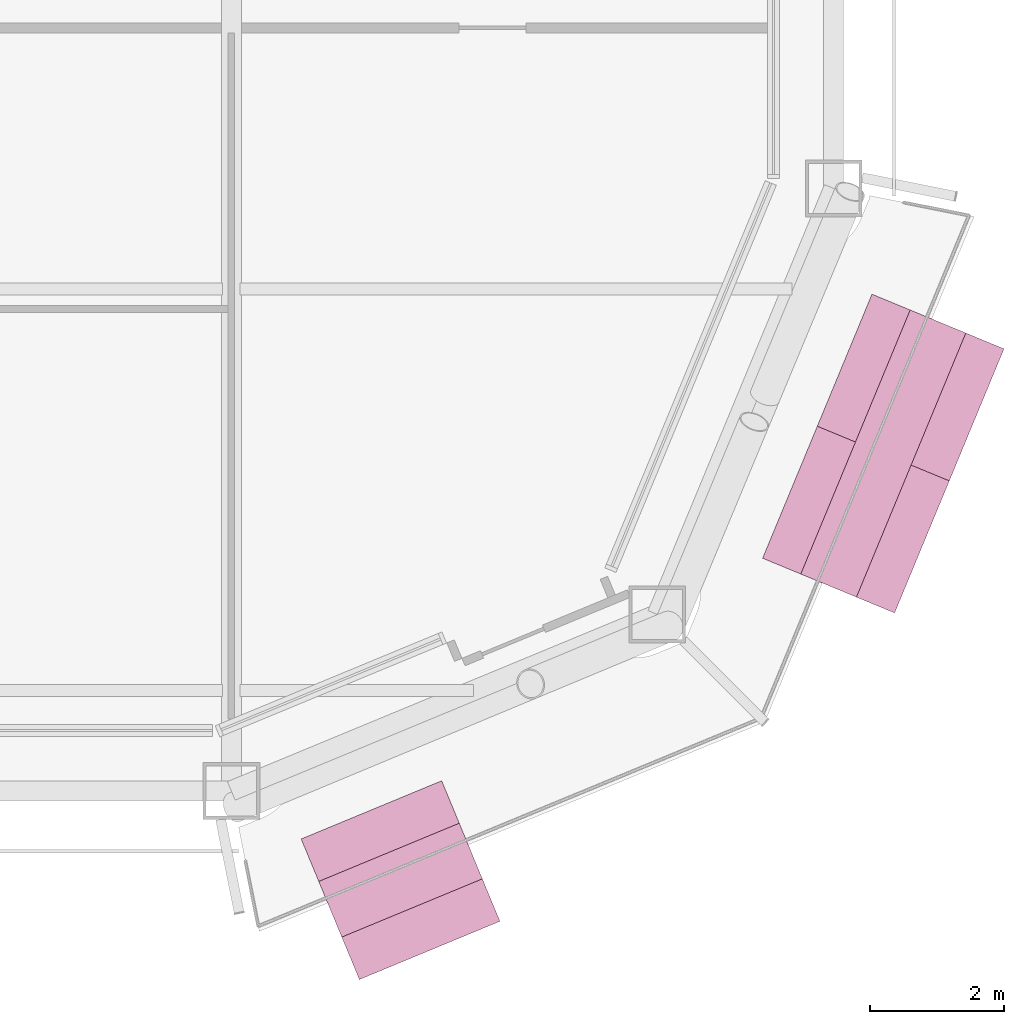
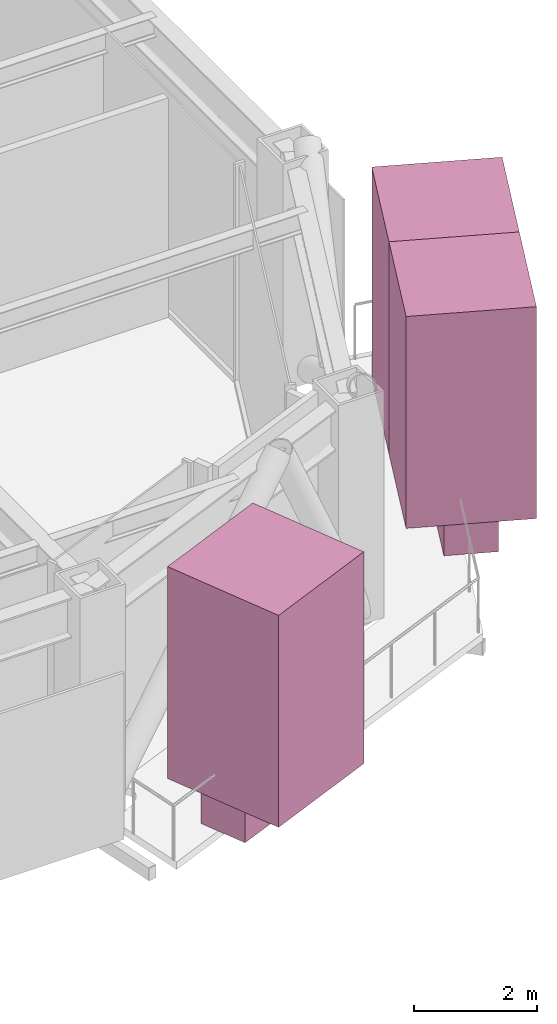
# One storey, part 22 of 22: 5 furnishings.
"""IFC4 building model written with IfcOpenShell, lengths in metres."""

import ifcopenshell
import ifcopenshell.guid

model = None  # the IFC model being written
_history = None  # IfcOwnerHistory: only IFC2X3 demands one
_inside = {}  # id of a spatial element -> (the spatial element, [elements in it])
_under = {}  # id of a project, library or spatial element -> (it, [spatial elements below it])
_declared = {}  # id of a project -> (the project, [libraries it declares])
_typed = {}  # id of a type object -> (the type object, [elements of that type])
_made_of = {}  # id of a material, layer set ... -> (it, [elements and type objects made of it])


def new_model(schema):
    """Start an empty IFC model of exactly this schema.

    Asked for "IFC4X3", IfcOpenShell would pick the latest addendum, in which some entities
    have other attributes; the version numbers below select the first issue.
    IFC2X3 requires an IfcOwnerHistory on every rooted entity: one is made here for all.
    """
    global model, _history
    if schema == "IFC4X3":
        model = ifcopenshell.file(schema_version=(4, 3, 0, 0))
    else:
        model = ifcopenshell.file(schema=schema)
    _inside.clear()
    _under.clear()
    _declared.clear()
    _typed.clear()
    _made_of.clear()
    _history = None
    if model.schema == "IFC2X3":
        org = make("IfcOrganization", Name="unknown")
        user = make(
            "IfcPersonAndOrganization",
            ThePerson=make("IfcPerson", FamilyName="unknown"),
            TheOrganization=org,
        )
        app = make(
            "IfcApplication",
            ApplicationDeveloper=org,
            Version="unknown",
            ApplicationFullName="unknown",
            ApplicationIdentifier="unknown",
        )
        _history = make(
            "IfcOwnerHistory",
            OwningUser=user,
            OwningApplication=app,
            ChangeAction="ADDED",
            CreationDate=0,
        )
    return model


def make(cls, **values):
    """One entity of the class cls with the attributes given. An attribute that is None is left unset."""
    return model.create_entity(
        cls, **{name: value for name, value in values.items() if value is not None}
    )


def rooted(cls, **values):
    """An entity with a GlobalId (a new one), such as an element, a storey or a relation."""
    return make(cls, GlobalId=ifcopenshell.guid.new(), OwnerHistory=_history, **values)


def si_unit(unit_type, name, prefix=None):
    """IfcSIUnit, for example si_unit("LENGTHUNIT", "METRE", prefix="MILLI")."""
    return make("IfcSIUnit", UnitType=unit_type, Prefix=prefix, Name=name)


def assignment(units):
    """IfcUnitAssignment: the units of a project."""
    return None if units is None else make("IfcUnitAssignment", Units=units)


def point(xyz):
    """IfcCartesianPoint."""
    return None if xyz is None else make("IfcCartesianPoint", Coordinates=xyz)


def direction(xyz):
    """IfcDirection."""
    return None if xyz is None else make("IfcDirection", DirectionRatios=xyz)


def frame(location, z_axis=None, x_axis=None):
    """IfcAxis2Placement3D, a coordinate frame: its origin and axes. An axis left out is left unset."""
    return make(
        "IfcAxis2Placement3D",
        Location=point(location),
        Axis=direction(z_axis),
        RefDirection=direction(x_axis),
    )


def frame_2d(location, x_axis=None):
    """IfcAxis2Placement2D, a coordinate frame in the plane: its origin and x axis."""
    return make(
        "IfcAxis2Placement2D", Location=point(location), RefDirection=direction(x_axis)
    )


def origin():
    """The frame at (0, 0, 0) with its axes left unset."""
    return frame((0.0, 0.0, 0.0))


def origin_2d():
    """The frame at (0, 0) in the plane with its x axis left unset."""
    return frame_2d((0.0, 0.0))


def place(relative_to, where):
    """IfcLocalPlacement: puts the frame where relative to a parent placement (None: the world)."""
    return make(
        "IfcLocalPlacement", PlacementRelTo=relative_to, RelativePlacement=where
    )


def context(
    kind, dimensions, precision=None, world=None, true_north=None, identifier=None
):
    """IfcGeometricRepresentationContext, for example the 3D "Model" context."""
    return make(
        "IfcGeometricRepresentationContext",
        ContextIdentifier=identifier,
        ContextType=kind,
        CoordinateSpaceDimension=dimensions,
        Precision=precision,
        WorldCoordinateSystem=world,
        TrueNorth=true_north,
    )


def subcontext(parent, identifier, kind, view, scale=None):
    """IfcGeometricRepresentationSubContext, for example "Body" below "Model"."""
    return make(
        "IfcGeometricRepresentationSubContext",
        ContextIdentifier=identifier,
        ContextType=kind,
        ParentContext=parent,
        TargetScale=scale,
        TargetView=view,
    )


def project(units=None, contexts=None):
    """IfcProject with its units and contexts."""
    return rooted(
        "IfcProject",
        Name="project",
        RepresentationContexts=contexts,
        UnitsInContext=assignment(units),
    )


def spatial(cls, under=None, at=None, **own):
    """A site, building, storey or space (cls), placed at a placement, below another one or the project."""
    s = rooted(cls, ObjectPlacement=at, **own)
    if under is not None:
        _under.setdefault(under.id(), (under, []))[1].append(s)
    return s


def profile(cls, at=None, kind="AREA", **sizes):
    """A parametric profile (cls). Its sizes go by their IFC names, for example OverallWidth=200.0."""
    return make(cls, ProfileType=kind, Position=at, **sizes)


def rectangle(**sizes):
    """IfcRectangleProfileDef."""
    return profile("IfcRectangleProfileDef", **sizes)


def extrude(swept, where, along, depth):
    """IfcExtrudedAreaSolid: the profile swept, set in the frame where, extruded along a direction by depth."""
    return make(
        "IfcExtrudedAreaSolid",
        SweptArea=swept,
        Position=where,
        ExtrudedDirection=direction(along),
        Depth=depth,
    )


def shape(context_of_items, identifier, shape_type, items):
    """IfcShapeRepresentation: the items that make up one representation, for example the "Body"."""
    return make(
        "IfcShapeRepresentation",
        ContextOfItems=context_of_items,
        RepresentationIdentifier=identifier,
        RepresentationType=shape_type,
        Items=items,
    )


def material(Name=None, Category=None):
    """IfcMaterial."""
    return make("IfcMaterial", Name=Name, Category=Category)


def made_of(thing, what):
    """Note that an element or type object is made of a material, layer set ...; save() writes the relation."""
    if what is not None:
        _made_of.setdefault(what.id(), (what, []))[1].append(thing)
    return thing


def type_object(cls, material=None, **own):
    """A type object (cls), such as IfcWallType, which elements share."""
    return made_of(rooted(cls, **own), material)


def element(
    cls,
    number,
    at=None,
    inside=None,
    cuts=None,
    type_object=None,
    material=None,
    context=None,
    identifier="Body",
    shape_type=None,
    held_by="IfcProductDefinitionShape",
    body=None,
    shapes=None,
    **own,
):
    """One element of the class cls, such as IfcWall. Its Tag is "e" and its number.

    at: its placement. inside: the storey or other place that contains it. cuts: it is an
    opening in that element (IfcRelVoidsElement). A single representation is given by context,
    identifier, shape_type and body (its items); several are given by shapes. held_by: the class
    of the entity that holds the representations. save() writes the other relations.
    """
    e = rooted(cls, Tag="e%d" % number, ObjectPlacement=at, **own)
    if body is not None:
        shapes = [shape(context, identifier, shape_type, body)]
    if shapes is not None:
        e.Representation = make(held_by, Representations=shapes)
    if inside is not None:
        _inside.setdefault(inside.id(), (inside, []))[1].append(e)
    if cuts is not None:
        rooted(
            "IfcRelVoidsElement", RelatingBuildingElement=cuts, RelatedOpeningElement=e
        )
    if type_object is not None:
        _typed.setdefault(type_object.id(), (type_object, []))[1].append(e)
    return made_of(e, material)


def aggregate(whole, parts):
    """IfcRelAggregates: a whole, such as a stair, and the parts it consists of."""
    return rooted("IfcRelAggregates", RelatingObject=whole, RelatedObjects=parts)


def save(model, path):
    """Write the relations noted so far, then the file.

    IfcRelAggregates (storeys below a building ...), IfcRelContainedInSpatialStructure (elements
    in a storey), IfcRelDefinesByType, IfcRelAssociatesMaterial and IfcRelDeclares: one each for
    every whole, place, type object, material and project.
    """
    for whole, parts in _under.values():
        aggregate(whole, parts)
    for where, things in _inside.values():
        rooted(
            "IfcRelContainedInSpatialStructure",
            RelatedElements=things,
            RelatingStructure=where,
        )
    for kind, things in _typed.values():
        rooted("IfcRelDefinesByType", RelatedObjects=things, RelatingType=kind)
    for what, things in _made_of.values():
        rooted("IfcRelAssociatesMaterial", RelatedObjects=things, RelatingMaterial=what)
    for by, libraries in _declared.values():
        rooted("IfcRelDeclares", RelatingContext=by, RelatedDefinitions=libraries)
    model.write(path)


model = new_model("IFC4")

# Units and contexts
model_context = context("Model", 3, precision=1e-05, world=origin(), true_north=direction((0.0, 1.0)))
body_context = subcontext(model_context, "Body", "Model", "MODEL_VIEW")
ifc_project = project(units=[si_unit("LENGTHUNIT", "METRE"), si_unit("AREAUNIT", "SQUARE_METRE"), si_unit("VOLUMEUNIT", "CUBIC_METRE"), si_unit("PLANEANGLEUNIT", "RADIAN"), si_unit("MASSUNIT", "GRAM", prefix="KILO")], contexts=[model_context])

# Site, building, storey
site_placement = place(None, origin())
site = spatial("IfcSite", under=ifc_project, at=site_placement, CompositionType="ELEMENT")
building_placement = place(site_placement, origin())
building = spatial("IfcBuilding", under=site, at=building_placement, Name="Siwar Civic Tower", CompositionType="ELEMENT")
storey_placement = place(building_placement, frame((0.0, 0.0, 201.699951171875)))
storey = spatial("IfcBuildingStorey", under=building, at=storey_placement, Name="L43", CompositionType="ELEMENT", Elevation=201.699951171875)

# Furnishings
ifc_material_1 = material(Name="Planting soil and foliage")
furnishing_element_type_1 = type_object("IfcFurnishingElementType", Name="ENV-PLANTER", material=ifc_material_1)
furnishing_1_placement = place(storey_placement, frame((20.5283203125, -28.333984375, 0.0), z_axis=(0.0, 0.0, 1.0), x_axis=(0.923879532511, 0.382683432365, 0.0)))
element("IfcFurnishingElement", 1, at=furnishing_1_placement, inside=storey, type_object=furnishing_element_type_1, Name="PLANTER SE 1", context=body_context, shape_type="SweptSolid", body=[
    extrude(rectangle(XDim=2.273193359375, YDim=0.89990234375, at=origin_2d()), origin(), (0.0, 0.0, 1.0), 0.60009765625),
])
furnishing_2_placement = place(storey_placement, frame((27.740966796875, -21.960205078125, 0.0), z_axis=(0.0, 0.0, 1.0), x_axis=(0.382683432365, 0.923879532511, 0.0)))
element("IfcFurnishingElement", 2, at=furnishing_2_placement, inside=storey, type_object=furnishing_element_type_1, Name="PLANTER SE 2", context=body_context, shape_type="SweptSolid", body=[
    extrude(rectangle(XDim=4.270751953125, YDim=0.89990234375, at=origin_2d()), origin(), (0.0, 0.0, 1.0), 0.60009765625),
])
ifc_material_2 = material(Name="Planting soil and foliage")
furnishing_element_type_2 = type_object("IfcFurnishingElementType", Name="ENV-TREE", material=ifc_material_2)
furnishing_3_placement = place(storey_placement, frame((20.5283203125, -28.333984375, 0.60009765625), z_axis=(0.0, 0.0, 1.0), x_axis=(0.923879532511, 0.382683432365, 0.0)))
element("IfcFurnishingElement", 3, at=furnishing_3_placement, inside=storey, type_object=furnishing_element_type_2, Name="PLANTER (TREE) SE 1.1", context=body_context, shape_type="SweptSolid", body=[
    extrude(rectangle(XDim=2.273193359375, YDim=2.273193359375, at=origin_2d()), origin(), (0.0, 0.0, 1.0), 4.199951171875),
])
for number, where, z_axis, x_axis, name in (
    (4, (27.332275390625, -22.94677734375, 0.60009765625), (0.0, 0.0, 1.0), (0.382683432365, 0.923879532511, 0.0), "PLANTER (TREE) SE 2.1"),
    (5, (28.1494140625, -20.973876953125, 0.60009765625), (0.0, 0.0, 1.0), (0.382683432365, 0.923879532511, 0.0), "PLANTER (TREE) SE 2.2"),
):
    element("IfcFurnishingElement", number, at=place(storey_placement, frame(where, z_axis=z_axis, x_axis=x_axis)), inside=storey, type_object=furnishing_element_type_2, Name=name, context=body_context, shape_type="SweptSolid", body=[
        extrude(rectangle(XDim=2.13525390625, YDim=2.13525390625, at=origin_2d()), origin(), (0.0, 0.0, 1.0), 4.199951171875),
    ])

save(model, "model.ifc")
